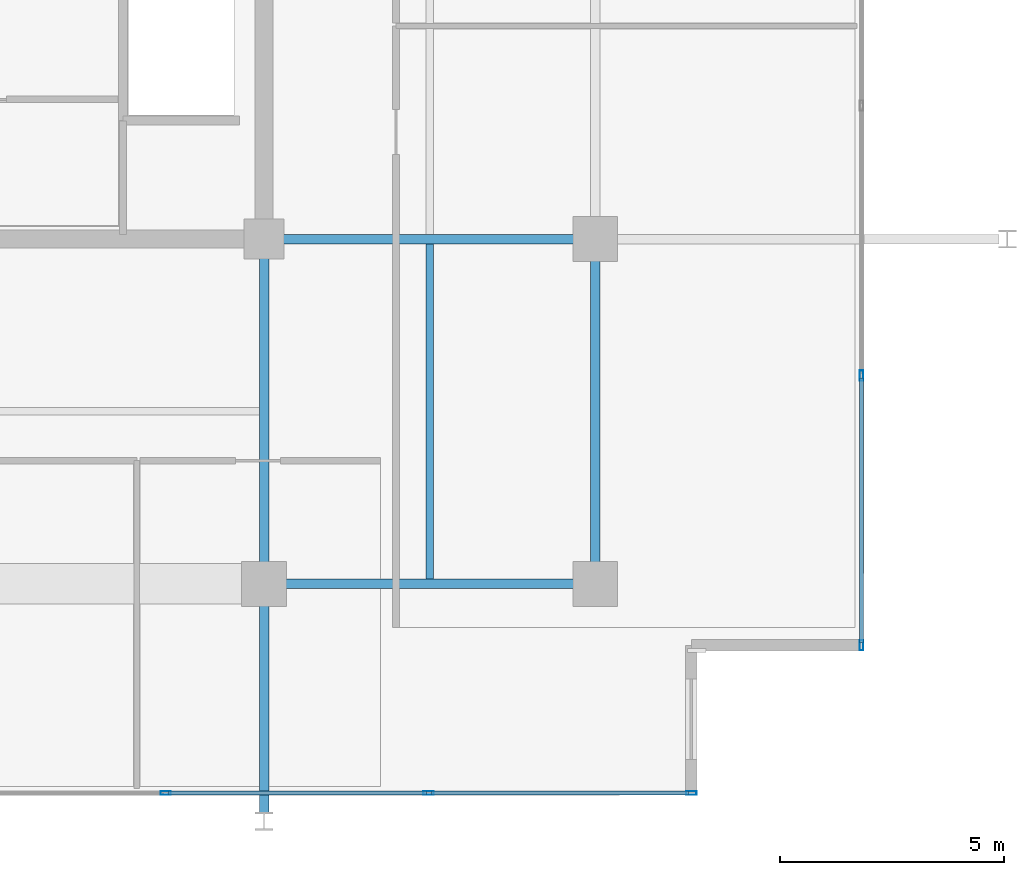
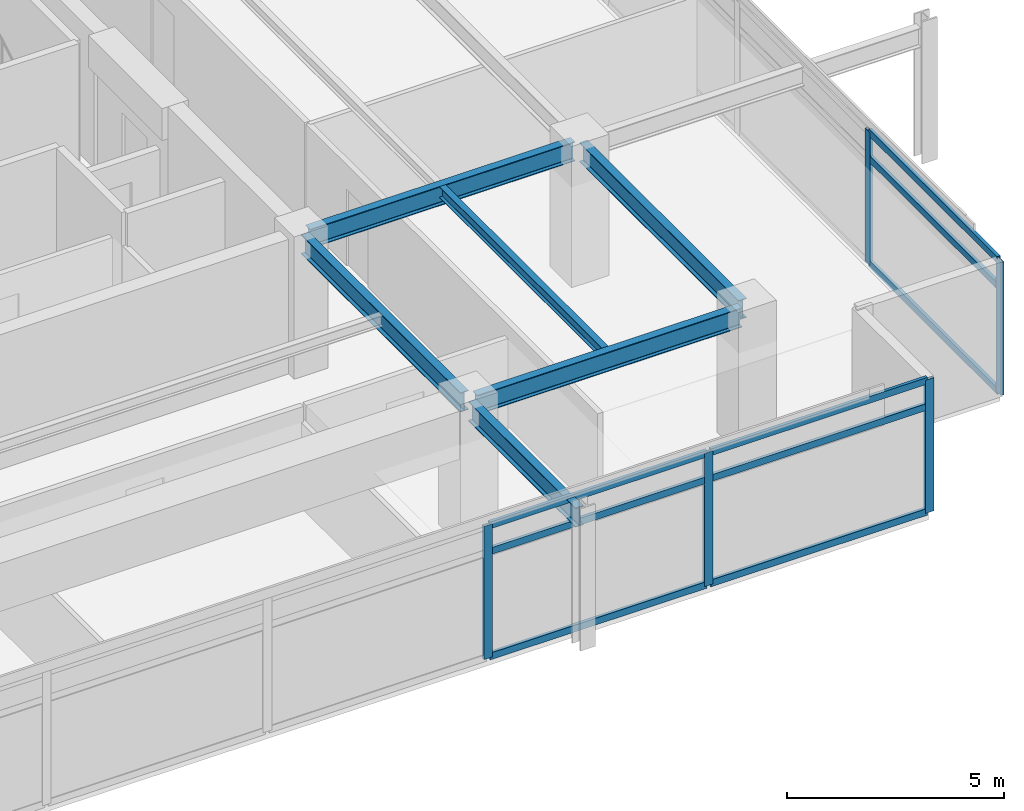
# One storey, part 6 of 20: 14 members, 6 beams, 2 elements without a shape of their own.
"""IFC4 building model written with IfcOpenShell, lengths in metres."""

from ifc_helpers import new_model, si_unit, direction, frame, origin, origin_2d, place, context, subcontext, project, spatial, hollow_rectangle, i_section, extrude, material, material_profile, profile_set, type_object, element, aggregate, save


model = new_model("IFC4")

# Units and contexts
model_context = context("Model", 3, precision=1e-05, world=origin(), true_north=direction((0.0, 1.0)))
body_context = subcontext(model_context, "Body", "Model", "MODEL_VIEW")
ifc_project = project(units=[si_unit("LENGTHUNIT", "METRE"), si_unit("AREAUNIT", "SQUARE_METRE"), si_unit("VOLUMEUNIT", "CUBIC_METRE"), si_unit("PLANEANGLEUNIT", "RADIAN"), si_unit("MASSUNIT", "GRAM", prefix="KILO")], contexts=[model_context])

# Site, building, storey
site_placement = place(None, origin())
site = spatial("IfcSite", under=ifc_project, at=site_placement, CompositionType="ELEMENT")
building_placement = place(site_placement, origin())
building = spatial("IfcBuilding", under=site, at=building_placement, Name="Kovane Verandah Tower", CompositionType="ELEMENT")
storey_placement = place(building_placement, frame((0.0, 0.0, 334.800048828125)))
storey = spatial("IfcBuildingStorey", under=building, at=storey_placement, Name="L78", CompositionType="ELEMENT", Elevation=334.800048828125)

# Beams
ifc_material_1 = material(Name="Steel S355", Category="steel")
ifc_material_profile_1 = material_profile(ifc_material_1, i_section(OverallWidth=0.2119140625, OverallDepth=0.54443359375, WebThickness=0.0126953125, FlangeThickness=0.021240234375, FilletRadius=0.0126953125, at=origin_2d()), Name="UB533x210x122")
ifc_profile_set_1 = profile_set([ifc_material_profile_1], Name="Steel S355")
beam_type_1 = type_object("IfcBeamType", Name="BM-UB533x122", PredefinedType="BEAM", material=ifc_profile_set_1)
beam_1_placement = place(storey_placement, frame((51.179931640625, 10.800048828125, 3.5126953125), z_axis=(1.0, 0.0, 0.0), x_axis=(0.0, 1.0, 0.0)))
element("IfcBeam", 1, at=beam_1_placement, inside=storey, type_object=beam_type_1, Name="L78 Primary Tower Girder G-RS3", PredefinedType="BEAM", context=body_context, shape_type="SweptSolid", body=[
    extrude(i_section(OverallWidth=0.2119140625, OverallDepth=0.54443359375, WebThickness=0.0126953125, FlangeThickness=0.021240234375, FilletRadius=0.0126953125, at=origin_2d()), origin(), (0.0, 0.0, 1.0), 7.0400390625),
])
beam_2_placement = place(storey_placement, frame((58.39990234375, 10.97998046875, 3.5126953125), z_axis=(0.0, 1.0, 0.0), x_axis=(-1.0, 0.0, 0.0)))
element("IfcBeam", 2, at=beam_2_placement, inside=storey, type_object=beam_type_1, Name="L78 Primary Tower Girder G-RE1", PredefinedType="BEAM", context=body_context, shape_type="SweptSolid", body=[
    extrude(i_section(OverallWidth=0.2119140625, OverallDepth=0.54443359375, WebThickness=0.0126953125, FlangeThickness=0.021240234375, FilletRadius=0.0126953125, at=origin_2d()), origin(), (0.0, 0.0, 1.0), 7.340087890625),
])
beam_3_placement = place(storey_placement, frame((51.179931640625, 18.5, 3.5126953125), z_axis=(1.0, 0.0, 0.0), x_axis=(0.0, 1.0, 0.0)))
element("IfcBeam", 3, at=beam_3_placement, inside=storey, type_object=beam_type_1, Name="L78 Primary Tower Girder G-E1", PredefinedType="BEAM", context=body_context, shape_type="SweptSolid", body=[
    extrude(i_section(OverallWidth=0.2119140625, OverallDepth=0.54443359375, WebThickness=0.0126953125, FlangeThickness=0.021240234375, FilletRadius=0.0126953125, at=origin_2d()), origin(), (0.0, 0.0, 1.0), 7.0400390625),
])
beam_4_placement = place(storey_placement, frame((51.0, 18.320068359375, 3.5126953125), z_axis=(0.0, -1.0, 0.0), x_axis=(1.0, 0.0, 0.0)))
element("IfcBeam", 4, at=beam_4_placement, inside=storey, type_object=beam_type_1, Name="L78 Primary Tower Girder G-S2", PredefinedType="BEAM", context=body_context, shape_type="SweptSolid", body=[
    extrude(i_section(OverallWidth=0.2119140625, OverallDepth=0.54443359375, WebThickness=0.0126953125, FlangeThickness=0.021240234375, FilletRadius=0.0126953125, at=origin_2d()), origin(), (0.0, 0.0, 1.0), 7.340087890625),
])
beam_5_placement = place(storey_placement, frame((51.0, 10.6201171875, 3.48779296875), z_axis=(0.0, -1.0, 0.0), x_axis=(1.0, 0.0, 0.0)))
element("IfcBeam", 5, at=beam_5_placement, inside=storey, type_object=beam_type_1, Name="L78 Primary Tower Girder G-VS2", PredefinedType="BEAM", context=body_context, shape_type="SweptSolid", body=[
    extrude(i_section(OverallWidth=0.2119140625, OverallDepth=0.54443359375, WebThickness=0.0126953125, FlangeThickness=0.021240234375, FilletRadius=0.0126953125, at=origin_2d()), origin(), (0.0, 0.0, 1.0), 4.940185546875),
])

# Curtain wall, members
ifc_material_2 = material(Name="Champagne Anodised Aluminium Frame with Low-E Clear Laminated Glass", Category="aluminium")
curtain_wall_type = type_object("IfcCurtainWallType", Name="CW-SYS-05-HIGH", PredefinedType="NOTDEFINED", material=ifc_material_2)
curtain_wall_1_placement = place(storey_placement, origin())
curtain_wall_1 = element("IfcCurtainWall", 6, at=curtain_wall_1_placement, inside=storey, type_object=curtain_wall_type, Name="L78 S Unitised Curtain Wall", PredefinedType="NOTDEFINED")
ifc_material_3 = material(Name="Champagne Anodised Aluminium 6063-T6", Category="aluminium")
ifc_material_profile_2 = material_profile(ifc_material_3, hollow_rectangle(XDim=0.0849609375, YDim=0.22998046875, WallThickness=0.00390625, at=origin_2d()), Name="AL85x230x4")
ifc_profile_set_2 = profile_set([ifc_material_profile_2], Name="Champagne Anodised Aluminium 6063-T6")
member_type_1 = type_object("IfcMemberType", Name="CW-MUL-85x230", PredefinedType="MULLION", material=ifc_profile_set_2)
member_1_placement = place(storey_placement, frame((48.8046875, 6.127685546875, 0.02001953125), z_axis=(0.0, 0.0, 1.0), x_axis=(0.0, -1.0, 0.0)))
member_1 = element("IfcMember", 7, at=member_1_placement, type_object=member_type_1, Name="L78 S Unitised Curtain Wall Mullion 6", PredefinedType="MULLION", context=body_context, shape_type="SweptSolid", body=[
    extrude(hollow_rectangle(XDim=0.0849609375, YDim=0.22998046875, WallThickness=0.00390625, at=origin_2d()), origin(), (0.0, 0.0, 1.0), 3.744873046875),
])
member_2_placement = place(storey_placement, frame((54.674560546875, 6.127685546875, 0.02001953125), z_axis=(0.0, 0.0, 1.0), x_axis=(0.0, -1.0, 0.0)))
member_2 = element("IfcMember", 8, at=member_2_placement, type_object=member_type_1, Name="L78 S Unitised Curtain Wall Mullion 7", PredefinedType="MULLION", context=body_context, shape_type="SweptSolid", body=[
    extrude(hollow_rectangle(XDim=0.0849609375, YDim=0.22998046875, WallThickness=0.00390625, at=origin_2d()), origin(), (0.0, 0.0, 1.0), 3.744873046875),
])
member_3_placement = place(storey_placement, frame((60.54443359375, 6.127685546875, 0.02001953125), z_axis=(0.0, 0.0, 1.0), x_axis=(0.0, -1.0, 0.0)))
member_3 = element("IfcMember", 9, at=member_3_placement, type_object=member_type_1, Name="L78 S Unitised Curtain Wall Mullion 8", PredefinedType="MULLION", context=body_context, shape_type="SweptSolid", body=[
    extrude(hollow_rectangle(XDim=0.0849609375, YDim=0.22998046875, WallThickness=0.00390625, at=origin_2d()), origin(), (0.0, 0.0, 1.0), 3.744873046875),
])

curtain_wall_2_placement = place(storey_placement, origin())
curtain_wall_2 = element("IfcCurtainWall", 10, at=curtain_wall_2_placement, inside=storey, type_object=curtain_wall_type, Name="L78 E Unitised Curtain Wall", PredefinedType="NOTDEFINED")
member_4_placement = place(storey_placement, frame((64.344482421875, 9.427734375, 0.02001953125), z_axis=(0.0, 0.0, 1.0), x_axis=(1.0, 0.0, 0.0)))
member_4 = element("IfcMember", 11, at=member_4_placement, type_object=member_type_1, Name="L78 E Unitised Curtain Wall Mullion 1", PredefinedType="MULLION", context=body_context, shape_type="SweptSolid", body=[
    extrude(hollow_rectangle(XDim=0.0849609375, YDim=0.22998046875, WallThickness=0.00390625, at=origin_2d()), origin(), (0.0, 0.0, 1.0), 3.744873046875),
])
member_5_placement = place(storey_placement, frame((64.344482421875, 15.451904296875, 0.02001953125), z_axis=(0.0, 0.0, 1.0), x_axis=(1.0, 0.0, 0.0)))
member_5 = element("IfcMember", 12, at=member_5_placement, type_object=member_type_1, Name="L78 E Unitised Curtain Wall Mullion 2", PredefinedType="MULLION", context=body_context, shape_type="SweptSolid", body=[
    extrude(hollow_rectangle(XDim=0.0849609375, YDim=0.22998046875, WallThickness=0.00390625, at=origin_2d()), origin(), (0.0, 0.0, 1.0), 3.744873046875),
])

# Member
ifc_material_profile_3 = material_profile(ifc_material_3, hollow_rectangle(XDim=0.0849609375, YDim=0.18994140625, WallThickness=0.00390625, at=origin_2d()), Name="AL85x190x4")
ifc_profile_set_3 = profile_set([ifc_material_profile_3], Name="Champagne Anodised Aluminium 6063-T6")
member_type_2 = type_object("IfcMemberType", Name="CW-TRN-85x190", PredefinedType="USERDEFINED", material=ifc_profile_set_3)
member_6_placement = place(storey_placement, frame((48.854736328125, 6.127685546875, 0.050048828125), z_axis=(1.0, 0.0, 0.0), x_axis=(0.0, 1.0, 0.0)))
member_6 = element("IfcMember", 13, at=member_6_placement, type_object=member_type_2, Name="L78 S Unitised Curtain Wall Transom TB Bay 6", ObjectType="TRANSOM", PredefinedType="USERDEFINED", context=body_context, shape_type="SweptSolid", body=[
    extrude(hollow_rectangle(XDim=0.0849609375, YDim=0.18994140625, WallThickness=0.00390625, at=origin_2d()), origin(), (0.0, 0.0, 1.0), 5.769775390625),
])

member_7_placement = place(storey_placement, frame((48.854736328125, 6.127685546875, 3.0048828125), z_axis=(1.0, 0.0, 0.0), x_axis=(0.0, 1.0, 0.0)))
member_7 = element("IfcMember", 14, at=member_7_placement, type_object=member_type_2, Name="L78 S Unitised Curtain Wall Transom TM Bay 6", ObjectType="TRANSOM", PredefinedType="USERDEFINED", context=body_context, shape_type="SweptSolid", body=[
    extrude(hollow_rectangle(XDim=0.0849609375, YDim=0.18994140625, WallThickness=0.00390625, at=origin_2d()), origin(), (0.0, 0.0, 1.0), 5.769775390625),
])

member_8_placement = place(storey_placement, frame((48.854736328125, 6.127685546875, 3.73486328125), z_axis=(1.0, 0.0, 0.0), x_axis=(0.0, 1.0, 0.0)))
member_8 = element("IfcMember", 15, at=member_8_placement, type_object=member_type_2, Name="L78 S Unitised Curtain Wall Transom TT Bay 6", ObjectType="TRANSOM", PredefinedType="USERDEFINED", context=body_context, shape_type="SweptSolid", body=[
    extrude(hollow_rectangle(XDim=0.0849609375, YDim=0.18994140625, WallThickness=0.00390625, at=origin_2d()), origin(), (0.0, 0.0, 1.0), 5.769775390625),
])

member_9_placement = place(storey_placement, frame((54.724609375, 6.127685546875, 0.050048828125), z_axis=(1.0, 0.0, 0.0), x_axis=(0.0, 1.0, 0.0)))
member_9 = element("IfcMember", 16, at=member_9_placement, type_object=member_type_2, Name="L78 S Unitised Curtain Wall Transom TB Bay 7", ObjectType="TRANSOM", PredefinedType="USERDEFINED", context=body_context, shape_type="SweptSolid", body=[
    extrude(hollow_rectangle(XDim=0.0849609375, YDim=0.18994140625, WallThickness=0.00390625, at=origin_2d()), origin(), (0.0, 0.0, 1.0), 5.769775390625),
])

member_10_placement = place(storey_placement, frame((54.724609375, 6.127685546875, 3.0048828125), z_axis=(1.0, 0.0, 0.0), x_axis=(0.0, 1.0, 0.0)))
member_10 = element("IfcMember", 17, at=member_10_placement, type_object=member_type_2, Name="L78 S Unitised Curtain Wall Transom TM Bay 7", ObjectType="TRANSOM", PredefinedType="USERDEFINED", context=body_context, shape_type="SweptSolid", body=[
    extrude(hollow_rectangle(XDim=0.0849609375, YDim=0.18994140625, WallThickness=0.00390625, at=origin_2d()), origin(), (0.0, 0.0, 1.0), 5.769775390625),
])

member_11_placement = place(storey_placement, frame((54.724609375, 6.127685546875, 3.73486328125), z_axis=(1.0, 0.0, 0.0), x_axis=(0.0, 1.0, 0.0)))
member_11 = element("IfcMember", 18, at=member_11_placement, type_object=member_type_2, Name="L78 S Unitised Curtain Wall Transom TT Bay 7", ObjectType="TRANSOM", PredefinedType="USERDEFINED", context=body_context, shape_type="SweptSolid", body=[
    extrude(hollow_rectangle(XDim=0.0849609375, YDim=0.18994140625, WallThickness=0.00390625, at=origin_2d()), origin(), (0.0, 0.0, 1.0), 5.769775390625),
])

aggregate(curtain_wall_1, [member_1, member_2, member_3, member_6, member_7, member_8, member_9, member_10, member_11])

member_12_placement = place(storey_placement, frame((64.344482421875, 9.477783203125, 0.050048828125), z_axis=(0.0, 1.0, 0.0), x_axis=(-1.0, 0.0, 0.0)))
member_12 = element("IfcMember", 19, at=member_12_placement, type_object=member_type_2, Name="L78 E Unitised Curtain Wall Transom TB Bay 1", ObjectType="TRANSOM", PredefinedType="USERDEFINED", context=body_context, shape_type="SweptSolid", body=[
    extrude(hollow_rectangle(XDim=0.0849609375, YDim=0.18994140625, WallThickness=0.00390625, at=origin_2d()), origin(), (0.0, 0.0, 1.0), 5.924072265625),
])

member_13_placement = place(storey_placement, frame((64.344482421875, 9.477783203125, 3.0048828125), z_axis=(0.0, 1.0, 0.0), x_axis=(-1.0, 0.0, 0.0)))
member_13 = element("IfcMember", 20, at=member_13_placement, type_object=member_type_2, Name="L78 E Unitised Curtain Wall Transom TM Bay 1", ObjectType="TRANSOM", PredefinedType="USERDEFINED", context=body_context, shape_type="SweptSolid", body=[
    extrude(hollow_rectangle(XDim=0.0849609375, YDim=0.18994140625, WallThickness=0.00390625, at=origin_2d()), origin(), (0.0, 0.0, 1.0), 5.924072265625),
])

member_14_placement = place(storey_placement, frame((64.344482421875, 9.477783203125, 3.73486328125), z_axis=(0.0, 1.0, 0.0), x_axis=(-1.0, 0.0, 0.0)))
member_14 = element("IfcMember", 21, at=member_14_placement, type_object=member_type_2, Name="L78 E Unitised Curtain Wall Transom TT Bay 1", ObjectType="TRANSOM", PredefinedType="USERDEFINED", context=body_context, shape_type="SweptSolid", body=[
    extrude(hollow_rectangle(XDim=0.0849609375, YDim=0.18994140625, WallThickness=0.00390625, at=origin_2d()), origin(), (0.0, 0.0, 1.0), 5.924072265625),
])

aggregate(curtain_wall_2, [member_4, member_5, member_12, member_13, member_14])

# Beam
ifc_material_profile_4 = material_profile(ifc_material_1, i_section(OverallWidth=0.1669921875, OverallDepth=0.310302734375, WebThickness=0.0078125, FlangeThickness=0.013671875, FilletRadius=0.0087890625, at=origin_2d()), Name="UB305x165x54")
ifc_profile_set_4 = profile_set([ifc_material_profile_4], Name="Steel S355")
beam_type_2 = type_object("IfcBeamType", Name="JST-UB305x54", PredefinedType="JOIST", material=ifc_profile_set_4)
beam_6_placement = place(storey_placement, frame((54.699951171875, 10.904052734375, 3.629638671875), z_axis=(0.0, 1.0, 0.0), x_axis=(-1.0, 0.0, 0.0)))
element("IfcBeam", 22, at=beam_6_placement, inside=storey, type_object=beam_type_2, Name="L78 Secondary Composite Joist J-SE1", PredefinedType="JOIST", context=body_context, shape_type="SweptSolid", body=[
    extrude(i_section(OverallWidth=0.1669921875, OverallDepth=0.310302734375, WebThickness=0.0078125, FlangeThickness=0.013671875, FilletRadius=0.0087890625, at=origin_2d()), origin(), (0.0, 0.0, 1.0), 7.491943359375),
])

save(model, "model.ifc")
